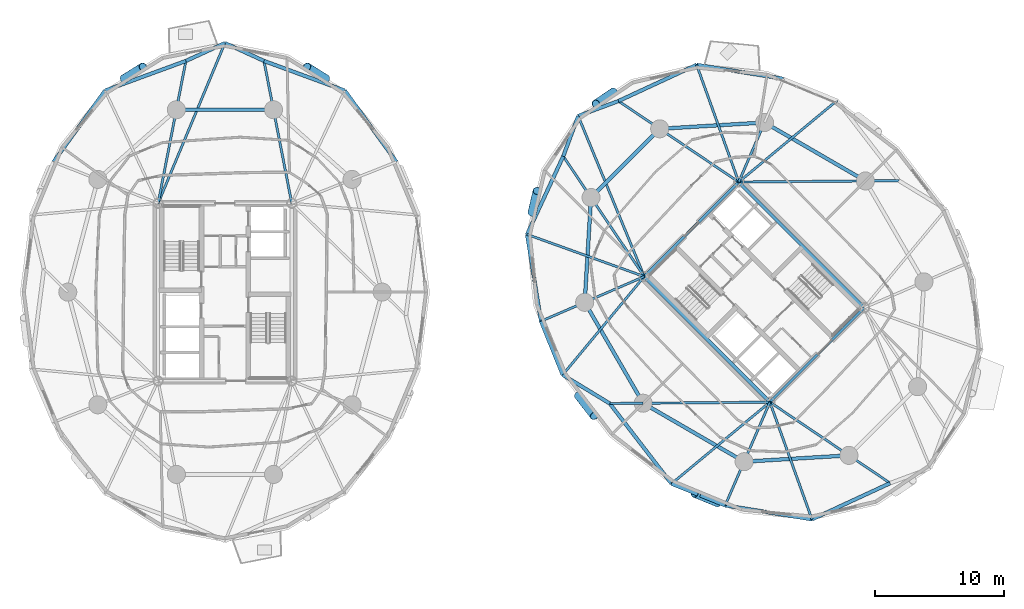
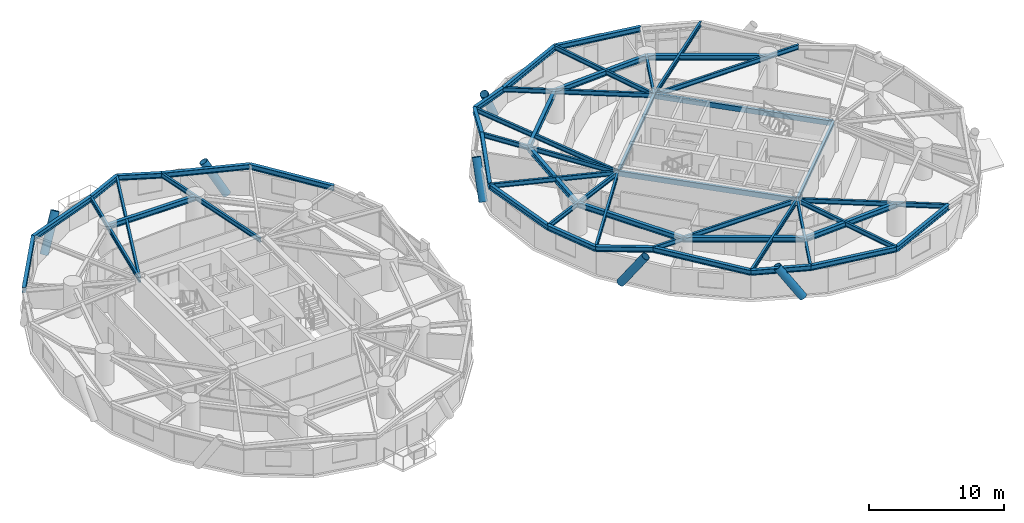
# One storey, part 5 of 18: 49 beams, 6 members.
"""IFC4 building model written with IfcOpenShell, lengths in metres."""

from ifc_helpers import new_model, si_unit, direction, frame, origin, origin_2d, place, context, subcontext, project, spatial, hollow_rectangle, hollow_circle, i_section, extrude, material, material_profile, profile_set, type_object, element, save


model = new_model("IFC4")

# Units and contexts
model_context = context("Model", 3, precision=1e-05, world=origin(), true_north=direction((0.0, 1.0)))
body_context = subcontext(model_context, "Body", "Model", "MODEL_VIEW")
ifc_project = project(units=[si_unit("LENGTHUNIT", "METRE"), si_unit("AREAUNIT", "SQUARE_METRE"), si_unit("VOLUMEUNIT", "CUBIC_METRE"), si_unit("PLANEANGLEUNIT", "RADIAN"), si_unit("MASSUNIT", "GRAM", prefix="KILO")], contexts=[model_context])

# Site, building, storey
site_placement = place(None, origin())
site = spatial("IfcSite", under=ifc_project, at=site_placement, CompositionType="ELEMENT")
building_placement = place(site_placement, origin())
building = spatial("IfcBuilding", under=site, at=building_placement, Name="Cununo Teusaquillo Station Towers", CompositionType="ELEMENT")
storey_placement = place(building_placement, frame((0.0, 0.0, 87.610107421875)))
storey = spatial("IfcBuildingStorey", under=building, at=storey_placement, Name="L27", CompositionType="ELEMENT", Elevation=87.610107421875)

# Beams
ifc_material_1 = material(Name="Steel EN 10025-2 S355J2", Category="steel")
ifc_material_profile_1 = material_profile(ifc_material_1, hollow_rectangle(XDim=0.25, YDim=0.449951171875, WallThickness=0.01611328125, at=origin_2d()), Name="RHS 450x250x16")
ifc_profile_set_1 = profile_set([ifc_material_profile_1], Name="Steel EN 10025-2 S355J2")
beam_type_1 = type_object("IfcBeamType", Name="BM-COUP-1", PredefinedType="USERDEFINED", material=ifc_profile_set_1)
for number, where, z_axis, x_axis, name in (
    (1, (58.70556640625, 15.975830078125, 2.44482421875), (-0.707106781187, 0.707106781187, 0.0), (-0.707106781187, -0.707106781187, 0.0), "L27 Tower B Core Beam 1"),
    (2, (66.024169921875, 23.29443359375, 2.44482421875), (-0.707106781187, 0.707106781187, 0.0), (-0.707106781187, -0.707106781187, 0.0), "L27 Tower B Core Beam 2"),
):
    element("IfcBeam", number, at=place(storey_placement, frame(where, z_axis=z_axis, x_axis=x_axis)), inside=storey, type_object=beam_type_1, Name=name, ObjectType="COUPLING BEAM", PredefinedType="USERDEFINED", context=body_context, shape_type="SweptSolid", body=[
        extrude(hollow_rectangle(XDim=0.25, YDim=0.449951171875, WallThickness=0.01611328125, at=origin_2d()), origin(), (0.0, 0.0, 1.0), 13.760009765625),
    ])
ifc_material_2 = material(Name="Steel ASTM A572 Grade 50", Category="steel")
ifc_material_profile_2 = material_profile(ifc_material_2, i_section(OverallWidth=0.180908203125, OverallDepth=0.4169921875, WebThickness=0.010986328125, FlangeThickness=0.018310546875, FilletRadius=0.012939453125, at=origin_2d()), Name="W16X57")
ifc_profile_set_2 = profile_set([ifc_material_profile_2], Name="Steel ASTM A572 Grade 50")
beam_type_2 = type_object("IfcBeamType", Name="BM-JOIST-1", PredefinedType="JOIST", material=ifc_profile_set_2)
beam_1_placement = place(storey_placement, frame((11.324951171875, 31.3798828125, 2.46142578125), z_axis=(0.38487837995, 0.922967297713, 0.0), x_axis=(-0.922967297713, 0.38487837995, 0.0)))
element("IfcBeam", 3, at=beam_1_placement, inside=storey, type_object=beam_type_2, Name="L27 Tower A Radial Spandrel Joist V05", PredefinedType="JOIST", context=body_context, shape_type="SweptSolid", body=[
    extrude(i_section(OverallWidth=0.180908203125, OverallDepth=0.4169921875, WebThickness=0.010986328125, FlangeThickness=0.018310546875, FilletRadius=0.012939453125, at=origin_2d()), origin(), (0.0, 0.0, 1.0), 13.446044921875),
])
beam_2_placement = place(storey_placement, frame((56.29443359375, 33.024169921875, 2.46142578125), z_axis=(0.769727799615, 0.638372238196, 0.0), x_axis=(-0.638372238196, 0.769727799615, 0.0)))
element("IfcBeam", 4, at=beam_2_placement, inside=storey, type_object=beam_type_2, Name="L27 Tower B Radial Spandrel Joist V01", PredefinedType="JOIST", context=body_context, shape_type="SweptSolid", body=[
    extrude(i_section(OverallWidth=0.180908203125, OverallDepth=0.4169921875, WebThickness=0.010986328125, FlangeThickness=0.018310546875, FilletRadius=0.012939453125, at=origin_2d()), origin(), (0.0, 0.0, 1.0), 9.895263671875),
])
beam_3_placement = place(storey_placement, frame((56.29443359375, 33.024169921875, 2.46142578125), z_axis=(-0.338176312038, 0.941082771055, 0.0), x_axis=(-0.941082771055, -0.338176312038, 0.0)))
element("IfcBeam", 5, at=beam_3_placement, inside=storey, type_object=beam_type_2, Name="L27 Tower B Radial Spandrel Joist V03", PredefinedType="JOIST", context=body_context, shape_type="SweptSolid", body=[
    extrude(i_section(OverallWidth=0.180908203125, OverallDepth=0.4169921875, WebThickness=0.010986328125, FlangeThickness=0.018310546875, FilletRadius=0.012939453125, at=origin_2d()), origin(), (0.0, 0.0, 1.0), 9.646484375),
])
beam_4_placement = place(storey_placement, frame((48.975830078125, 25.70556640625, 2.46142578125), z_axis=(-0.380485864505, 0.924786735908, 0.0), x_axis=(-0.924786735908, -0.380485864505, 0.0)))
element("IfcBeam", 6, at=beam_4_placement, inside=storey, type_object=beam_type_2, Name="L27 Tower B Radial Spandrel Joist V05", PredefinedType="JOIST", context=body_context, shape_type="SweptSolid", body=[
    extrude(i_section(OverallWidth=0.180908203125, OverallDepth=0.4169921875, WebThickness=0.010986328125, FlangeThickness=0.018310546875, FilletRadius=0.012939453125, at=origin_2d()), origin(), (0.0, 0.0, 1.0), 13.44580078125),
])
beam_5_placement = place(storey_placement, frame((48.975830078125, 25.70556640625, 2.46142578125), z_axis=(-0.941082771055, 0.338176312038, 0.0), x_axis=(-0.338176312038, -0.941082771055, 0.0)))
element("IfcBeam", 7, at=beam_5_placement, inside=storey, type_object=beam_type_2, Name="L27 Tower B Radial Spandrel Joist V07", PredefinedType="JOIST", context=body_context, shape_type="SweptSolid", body=[
    extrude(i_section(OverallWidth=0.180908203125, OverallDepth=0.4169921875, WebThickness=0.010986328125, FlangeThickness=0.018310546875, FilletRadius=0.012939453125, at=origin_2d()), origin(), (0.0, 0.0, 1.0), 9.646484375),
])
for number, where, z_axis, x_axis, name in (
    (8, (48.975830078125, 25.70556640625, 2.46142578125), (-0.638372238196, -0.769727799615, 0.0), (0.769727799615, -0.638372238196, 0.0), "L27 Tower B Radial Spandrel Joist V09"),
    (9, (58.70556640625, 15.975830078125, 2.46142578125), (-0.769727799615, -0.638372238196, 0.0), (0.638372238196, -0.769727799615, 0.0), "L27 Tower B Radial Spandrel Joist V11"),
):
    element("IfcBeam", number, at=place(storey_placement, frame(where, z_axis=z_axis, x_axis=x_axis)), inside=storey, type_object=beam_type_2, Name=name, PredefinedType="JOIST", context=body_context, shape_type="SweptSolid", body=[
        extrude(i_section(OverallWidth=0.180908203125, OverallDepth=0.4169921875, WebThickness=0.010986328125, FlangeThickness=0.018310546875, FilletRadius=0.012939453125, at=origin_2d()), origin(), (0.0, 0.0, 1.0), 9.895263671875),
    ])
beam_6_placement = place(storey_placement, frame((58.70556640625, 15.975830078125, 2.46142578125), z_axis=(0.338176312038, -0.941082771055, 0.0), x_axis=(0.941082771055, 0.338176312038, 0.0)))
element("IfcBeam", 10, at=beam_6_placement, inside=storey, type_object=beam_type_2, Name="L27 Tower B Radial Spandrel Joist V13", PredefinedType="JOIST", context=body_context, shape_type="SweptSolid", body=[
    extrude(i_section(OverallWidth=0.180908203125, OverallDepth=0.4169921875, WebThickness=0.010986328125, FlangeThickness=0.018310546875, FilletRadius=0.012939453125, at=origin_2d()), origin(), (0.0, 0.0, 1.0), 9.646484375),
])
ifc_material_3 = material(Name="Steel ASTM A572 Grade 50", Category="steel")
ifc_material_profile_3 = material_profile(ifc_material_3, i_section(OverallWidth=0.2041015625, OverallDepth=0.35009765625, WebThickness=0.008544921875, FlangeThickness=0.01513671875, FilletRadius=0.011962890625, at=origin_2d()), Name="W14X48")
ifc_profile_set_3 = profile_set([ifc_material_profile_3], Name="Steel ASTM A572 Grade 50")
beam_type_3 = type_object("IfcBeamType", Name="BM-LINTEL-1", PredefinedType="LINTEL", material=ifc_profile_set_3)
for number, where, z_axis, x_axis, name in (
    (11, (58.70556640625, 15.975830078125, 2.494873046875), (0.707106781187, 0.707106781187, 0.0), (-0.707106781187, 0.707106781187, 0.0), "L27 Tower B Core Beam 3"),
    (12, (48.975830078125, 25.70556640625, 2.494873046875), (0.707106781187, 0.707106781187, 0.0), (-0.707106781187, 0.707106781187, 0.0), "L27 Tower B Core Beam 4"),
):
    element("IfcBeam", number, at=place(storey_placement, frame(where, z_axis=z_axis, x_axis=x_axis)), inside=storey, type_object=beam_type_3, Name=name, PredefinedType="LINTEL", context=body_context, shape_type="SweptSolid", body=[
        extrude(i_section(OverallWidth=0.2041015625, OverallDepth=0.35009765625, WebThickness=0.008544921875, FlangeThickness=0.01513671875, FilletRadius=0.011962890625, at=origin_2d()), origin(), (0.0, 0.0, 1.0), 10.35009765625),
    ])
ifc_material_4 = material(Name="Steel ASTM A572 Grade 50", Category="steel")
ifc_material_profile_4 = material_profile(ifc_material_4, i_section(OverallWidth=0.180908203125, OverallDepth=0.4169921875, WebThickness=0.010986328125, FlangeThickness=0.018310546875, FilletRadius=0.012939453125, at=origin_2d()), Name="W16X57")
ifc_profile_set_4 = profile_set([ifc_material_profile_4], Name="Steel ASTM A572 Grade 50")
beam_type_4 = type_object("IfcBeamType", Name="BM-RAD-G2", PredefinedType="BEAM", material=ifc_profile_set_4)
for number, where, z_axis, x_axis, name in (
    (13, (21.675048828125, 31.3798828125, 2.46142578125), (-0.191552755713, 0.981482318628, 0.0), (-0.981482318628, -0.191552755713, 0.0), "L27 Tower A Continuous Overhanging Radial Girder 03"),
    (14, (11.324951171875, 31.3798828125, 2.46142578125), (0.191552755713, 0.981482318628, 0.0), (-0.981482318628, 0.191552755713, 0.0), "L27 Tower A Continuous Overhanging Radial Girder 04"),
):
    element("IfcBeam", number, at=place(storey_placement, frame(where, z_axis=z_axis, x_axis=x_axis)), inside=storey, type_object=beam_type_4, Name=name, PredefinedType="BEAM", context=body_context, shape_type="SweptSolid", body=[
        extrude(i_section(OverallWidth=0.180908203125, OverallDepth=0.4169921875, WebThickness=0.010986328125, FlangeThickness=0.018310546875, FilletRadius=0.012939453125, at=origin_2d()), origin(), (0.0, 0.0, 1.0), 11.22998046875),
    ])
beam_7_placement = place(storey_placement, frame((56.29443359375, 33.024169921875, 2.46142578125), z_axis=(0.999964331255, 0.008446077024, 0.0), x_axis=(-0.008446077024, 0.999964331255, 0.0)))
element("IfcBeam", 15, at=beam_7_placement, inside=storey, type_object=beam_type_4, Name="L27 Tower B Continuous Overhanging Radial Girder 01", PredefinedType="BEAM", context=body_context, shape_type="SweptSolid", body=[
    extrude(i_section(OverallWidth=0.180908203125, OverallDepth=0.4169921875, WebThickness=0.010986328125, FlangeThickness=0.018310546875, FilletRadius=0.012939453125, at=origin_2d()), origin(), (0.0, 0.0, 1.0), 12.400634765625),
])
beam_8_placement = place(storey_placement, frame((56.29443359375, 33.024169921875, 2.46142578125), z_axis=(0.397346986387, 0.917668443616, 0.0), x_axis=(-0.917668443616, 0.397346986387, 0.0)))
element("IfcBeam", 16, at=beam_8_placement, inside=storey, type_object=beam_type_4, Name="L27 Tower B Radial Girder 02A", PredefinedType="BEAM", context=body_context, shape_type="SweptSolid", body=[
    extrude(i_section(OverallWidth=0.180908203125, OverallDepth=0.4169921875, WebThickness=0.010986328125, FlangeThickness=0.018310546875, FilletRadius=0.012939453125, at=origin_2d()), origin(), (0.0, 0.0, 1.0), 5.02490234375),
])
for number, where, z_axis, x_axis, name in (
    (17, (56.29443359375, 33.024169921875, 2.46142578125), (-0.82945583878, 0.558572297481, 0.0), (-0.558572297481, -0.82945583878, 0.0), "L27 Tower B Continuous Overhanging Radial Girder 03"),
    (18, (48.975830078125, 25.70556640625, 2.46142578125), (-0.558572297481, 0.82945583878, 0.0), (-0.82945583878, -0.558572297481, 0.0), "L27 Tower B Continuous Overhanging Radial Girder 04"),
):
    element("IfcBeam", number, at=place(storey_placement, frame(where, z_axis=z_axis, x_axis=x_axis)), inside=storey, type_object=beam_type_4, Name=name, PredefinedType="BEAM", context=body_context, shape_type="SweptSolid", body=[
        extrude(i_section(OverallWidth=0.180908203125, OverallDepth=0.4169921875, WebThickness=0.010986328125, FlangeThickness=0.018310546875, FilletRadius=0.012939453125, at=origin_2d()), origin(), (0.0, 0.0, 1.0), 11.22998046875),
    ])
beam_9_placement = place(storey_placement, frame((48.975830078125, 25.70556640625, 2.46142578125), z_axis=(-0.917654733344, -0.397378648609, 0.0), x_axis=(0.397378648609, -0.917654733344, 0.0)))
element("IfcBeam", 19, at=beam_9_placement, inside=storey, type_object=beam_type_4, Name="L27 Tower B Continuous Overhanging Radial Girder 05", PredefinedType="BEAM", context=body_context, shape_type="SweptSolid", body=[
    extrude(i_section(OverallWidth=0.180908203125, OverallDepth=0.4169921875, WebThickness=0.010986328125, FlangeThickness=0.018310546875, FilletRadius=0.012939453125, at=origin_2d()), origin(), (0.0, 0.0, 1.0), 8.71484375),
])
beam_10_placement = place(storey_placement, frame((58.70556640625, 15.975830078125, 2.46142578125), z_axis=(-0.999964431382, -0.008434214327, 0.0), x_axis=(0.008434214327, -0.999964431382, 0.0)))
element("IfcBeam", 20, at=beam_10_placement, inside=storey, type_object=beam_type_4, Name="L27 Tower B Radial Girder 06A", PredefinedType="BEAM", context=body_context, shape_type="SweptSolid", body=[
    extrude(i_section(OverallWidth=0.180908203125, OverallDepth=0.4169921875, WebThickness=0.010986328125, FlangeThickness=0.018310546875, FilletRadius=0.012939453125, at=origin_2d()), origin(), (0.0, 0.0, 1.0), 9.812744140625),
])
beam_11_placement = place(storey_placement, frame((48.89306640625, 15.89306640625, 2.46142578125), z_axis=(-0.999963950292, -0.008491060999, 0.0), x_axis=(0.008491060999, -0.999963950292, 0.0)))
element("IfcBeam", 21, at=beam_11_placement, inside=storey, type_object=beam_type_4, Name="L27 Tower B Perimeter Overhang Girder 06B", PredefinedType="BEAM", context=body_context, shape_type="SweptSolid", body=[
    extrude(i_section(OverallWidth=0.180908203125, OverallDepth=0.4169921875, WebThickness=0.010986328125, FlangeThickness=0.018310546875, FilletRadius=0.012939453125, at=origin_2d()), origin(), (0.0, 0.0, 1.0), 2.587646484375),
])
beam_12_placement = place(storey_placement, frame((58.70556640625, 15.975830078125, 2.46142578125), z_axis=(-0.397378648609, -0.917654733344, 0.0), x_axis=(0.917654733344, -0.397378648609, 0.0)))
element("IfcBeam", 22, at=beam_12_placement, inside=storey, type_object=beam_type_4, Name="L27 Tower B Continuous Overhanging Radial Girder 07", PredefinedType="BEAM", context=body_context, shape_type="SweptSolid", body=[
    extrude(i_section(OverallWidth=0.180908203125, OverallDepth=0.4169921875, WebThickness=0.010986328125, FlangeThickness=0.018310546875, FilletRadius=0.012939453125, at=origin_2d()), origin(), (0.0, 0.0, 1.0), 8.71484375),
])
beam_13_placement = place(storey_placement, frame((58.70556640625, 15.975830078125, 2.46142578125), z_axis=(0.82945583878, -0.558572297481, 0.0), x_axis=(0.558572297481, 0.82945583878, 0.0)))
element("IfcBeam", 23, at=beam_13_placement, inside=storey, type_object=beam_type_4, Name="L27 Tower B Continuous Overhanging Radial Girder 08", PredefinedType="BEAM", context=body_context, shape_type="SweptSolid", body=[
    extrude(i_section(OverallWidth=0.180908203125, OverallDepth=0.4169921875, WebThickness=0.010986328125, FlangeThickness=0.018310546875, FilletRadius=0.012939453125, at=origin_2d()), origin(), (0.0, 0.0, 1.0), 11.22998046875),
])
ifc_material_5 = material(Name="Steel ASTM A572 Grade 50", Category="steel")
ifc_material_profile_5 = material_profile(ifc_material_5, i_section(OverallWidth=0.280029296875, OverallDepth=0.462890625, WebThickness=0.0107421875, FlangeThickness=0.017333984375, FilletRadius=0.013916015625, at=origin_2d()), Name="W18X76")
ifc_profile_set_5 = profile_set([ifc_material_profile_5], Name="Steel ASTM A572 Grade 50")
beam_type_5 = type_object("IfcBeamType", Name="BM-RING-Z2", PredefinedType="SPANDREL", material=ifc_profile_set_5)
beam_14_placement = place(storey_placement, frame((20.261474609375, 38.623291015625, 2.4384765625), z_axis=(-1.0, 0.0, 0.0), x_axis=(0.0, -1.0, 0.0)))
element("IfcBeam", 24, at=beam_14_placement, inside=storey, type_object=beam_type_5, Name="L27 Tower A Structural Column Ring Girder 03", PredefinedType="SPANDREL", context=body_context, shape_type="SweptSolid", body=[
    extrude(i_section(OverallWidth=0.280029296875, OverallDepth=0.462890625, WebThickness=0.0107421875, FlangeThickness=0.017333984375, FilletRadius=0.013916015625, at=origin_2d()), origin(), (0.0, 0.0, 1.0), 7.52294921875),
])
beam_15_placement = place(storey_placement, frame((29.77880859375, 34.586181640625, 2.4384765625), z_axis=(-0.58594455724, 0.810351143543, 0.0), x_axis=(-0.810351143543, -0.58594455724, 0.0)))
element("IfcBeam", 25, at=beam_15_placement, inside=storey, type_object=beam_type_5, Name="L27 Tower A Spandrel Ring Beam 03", PredefinedType="SPANDREL", context=body_context, shape_type="SweptSolid", body=[
    extrude(i_section(OverallWidth=0.280029296875, OverallDepth=0.462890625, WebThickness=0.0107421875, FlangeThickness=0.017333984375, FilletRadius=0.013916015625, at=origin_2d()), origin(), (0.0, 0.0, 1.0), 6.8115234375),
])
beam_16_placement = place(storey_placement, frame((25.78759765625, 40.10595703125, 2.4384765625), z_axis=(-0.938914161016, 0.34415141761, 0.0), x_axis=(-0.34415141761, -0.938914161016, 0.0)))
element("IfcBeam", 26, at=beam_16_placement, inside=storey, type_object=beam_type_5, Name="L27 Tower A Spandrel Ring Beam 04", PredefinedType="SPANDREL", context=body_context, shape_type="SweptSolid", body=[
    extrude(i_section(OverallWidth=0.280029296875, OverallDepth=0.462890625, WebThickness=0.0107421875, FlangeThickness=0.017333984375, FilletRadius=0.013916015625, at=origin_2d()), origin(), (0.0, 0.0, 1.0), 6.671142578125),
])
for number, where, z_axis, x_axis, name in (
    (27, (19.52392578125, 42.40185546875, 2.4384765625), (-0.908812215281, 0.417205413862, 0.0), (-0.417205413862, -0.908812215281, 0.0), "L27 Tower A Spandrel Ring Beam 05"),
    (28, (16.5, 43.7900390625, 2.4384765625), (-0.908812215281, -0.417205413862, 0.0), (0.417205413862, -0.908812215281, 0.0), "L27 Tower A Spandrel Ring Beam 06"),
):
    element("IfcBeam", number, at=place(storey_placement, frame(where, z_axis=z_axis, x_axis=x_axis)), inside=storey, type_object=beam_type_5, Name=name, PredefinedType="SPANDREL", context=body_context, shape_type="SweptSolid", body=[
        extrude(i_section(OverallWidth=0.280029296875, OverallDepth=0.462890625, WebThickness=0.0107421875, FlangeThickness=0.017333984375, FilletRadius=0.013916015625, at=origin_2d()), origin(), (0.0, 0.0, 1.0), 3.327392578125),
    ])
beam_17_placement = place(storey_placement, frame((13.47607421875, 42.40185546875, 2.4384765625), z_axis=(-0.938914161016, -0.34415141761, 0.0), x_axis=(0.34415141761, -0.938914161016, 0.0)))
element("IfcBeam", 29, at=beam_17_placement, inside=storey, type_object=beam_type_5, Name="L27 Tower A Spandrel Ring Beam 07", PredefinedType="SPANDREL", context=body_context, shape_type="SweptSolid", body=[
    extrude(i_section(OverallWidth=0.280029296875, OverallDepth=0.462890625, WebThickness=0.0107421875, FlangeThickness=0.017333984375, FilletRadius=0.013916015625, at=origin_2d()), origin(), (0.0, 0.0, 1.0), 6.671142578125),
])
beam_18_placement = place(storey_placement, frame((7.21240234375, 40.10595703125, 2.4384765625), z_axis=(-0.58594455724, -0.810351143543, 0.0), x_axis=(0.810351143543, -0.58594455724, 0.0)))
element("IfcBeam", 30, at=beam_18_placement, inside=storey, type_object=beam_type_5, Name="L27 Tower A Spandrel Ring Beam 08", PredefinedType="SPANDREL", context=body_context, shape_type="SweptSolid", body=[
    extrude(i_section(OverallWidth=0.280029296875, OverallDepth=0.462890625, WebThickness=0.0107421875, FlangeThickness=0.017333984375, FilletRadius=0.013916015625, at=origin_2d()), origin(), (0.0, 0.0, 1.0), 6.8115234375),
])
beam_19_placement = place(storey_placement, frame((66.10693359375, 33.10693359375, 2.4384765625), z_axis=(-0.865267103202, 0.501311121078, 0.0), x_axis=(-0.501311121078, -0.865267103202, 0.0)))
element("IfcBeam", 31, at=beam_19_placement, inside=storey, type_object=beam_type_5, Name="L27 Tower B Structural Column Ring Girder 01", PredefinedType="SPANDREL", context=body_context, shape_type="SweptSolid", body=[
    extrude(i_section(OverallWidth=0.280029296875, OverallDepth=0.462890625, WebThickness=0.0107421875, FlangeThickness=0.017333984375, FilletRadius=0.013916015625, at=origin_2d()), origin(), (0.0, 0.0, 1.0), 9.032958984375),
])
beam_20_placement = place(storey_placement, frame((58.291015625, 37.63525390625, 2.4384765625), z_axis=(-0.998190567048, -0.06012979176, 0.0), x_axis=(0.06012979176, -0.998190567048, 0.0)))
element("IfcBeam", 32, at=beam_20_placement, inside=storey, type_object=beam_type_5, Name="L27 Tower B Structural Column Ring Girder 02", PredefinedType="SPANDREL", context=body_context, shape_type="SweptSolid", body=[
    extrude(i_section(OverallWidth=0.280029296875, OverallDepth=0.462890625, WebThickness=0.0107421875, FlangeThickness=0.017333984375, FilletRadius=0.013916015625, at=origin_2d()), origin(), (0.0, 0.0, 1.0), 8.132568359375),
])
beam_21_placement = place(storey_placement, frame((50.173095703125, 37.146240234375, 2.4384765625), z_axis=(-0.707106781187, -0.707106781187, 0.0), x_axis=(0.707106781187, -0.707106781187, 0.0)))
element("IfcBeam", 33, at=beam_21_placement, inside=storey, type_object=beam_type_5, Name="L27 Tower B Structural Column Ring Girder 03", PredefinedType="SPANDREL", context=body_context, shape_type="SweptSolid", body=[
    extrude(i_section(OverallWidth=0.280029296875, OverallDepth=0.462890625, WebThickness=0.0107421875, FlangeThickness=0.017333984375, FilletRadius=0.013916015625, at=origin_2d()), origin(), (0.0, 0.0, 1.0), 7.522705078125),
])
beam_22_placement = place(storey_placement, frame((44.853759765625, 31.826904296875, 2.4384765625), z_axis=(-0.06012979176, -0.998190567048, 0.0), x_axis=(0.998190567048, -0.06012979176, 0.0)))
element("IfcBeam", 34, at=beam_22_placement, inside=storey, type_object=beam_type_5, Name="L27 Tower B Structural Column Ring Girder 04", PredefinedType="SPANDREL", context=body_context, shape_type="SweptSolid", body=[
    extrude(i_section(OverallWidth=0.280029296875, OverallDepth=0.462890625, WebThickness=0.0107421875, FlangeThickness=0.017333984375, FilletRadius=0.013916015625, at=origin_2d()), origin(), (0.0, 0.0, 1.0), 8.132568359375),
])
for number, where, z_axis, x_axis, name in (
    (35, (44.36474609375, 23.708984375, 2.4384765625), (0.501311121078, -0.865267103202, 0.0), (0.865267103202, 0.501311121078, 0.0), "L27 Tower B Structural Column Ring Girder 05"),
    (36, (48.89306640625, 15.89306640625, 2.4384765625), (0.865267103202, -0.501311121078, 0.0), (0.501311121078, 0.865267103202, 0.0), "L27 Tower B Structural Column Ring Girder 06"),
):
    element("IfcBeam", number, at=place(storey_placement, frame(where, z_axis=z_axis, x_axis=x_axis)), inside=storey, type_object=beam_type_5, Name=name, PredefinedType="SPANDREL", context=body_context, shape_type="SweptSolid", body=[
        extrude(i_section(OverallWidth=0.280029296875, OverallDepth=0.462890625, WebThickness=0.0107421875, FlangeThickness=0.017333984375, FilletRadius=0.013916015625, at=origin_2d()), origin(), (0.0, 0.0, 1.0), 9.032958984375),
    ])
beam_23_placement = place(storey_placement, frame((56.708984375, 11.36474609375, 2.4384765625), z_axis=(0.998190567048, 0.06012979176, 0.0), x_axis=(-0.06012979176, 0.998190567048, 0.0)))
element("IfcBeam", 37, at=beam_23_placement, inside=storey, type_object=beam_type_5, Name="L27 Tower B Structural Column Ring Girder 07", PredefinedType="SPANDREL", context=body_context, shape_type="SweptSolid", body=[
    extrude(i_section(OverallWidth=0.280029296875, OverallDepth=0.462890625, WebThickness=0.0107421875, FlangeThickness=0.017333984375, FilletRadius=0.013916015625, at=origin_2d()), origin(), (0.0, 0.0, 1.0), 8.132568359375),
])
beam_24_placement = place(storey_placement, frame((59.757568359375, 41.021484375, 2.4384765625), z_axis=(-0.987331474246, 0.158671232312, 0.0), x_axis=(-0.158671232312, -0.987331474246, 0.0)))
element("IfcBeam", 38, at=beam_24_placement, inside=storey, type_object=beam_type_5, Name="L27 Tower B Spandrel Ring Beam 03", PredefinedType="SPANDREL", context=body_context, shape_type="SweptSolid", body=[
    extrude(i_section(OverallWidth=0.280029296875, OverallDepth=0.462890625, WebThickness=0.0107421875, FlangeThickness=0.017333984375, FilletRadius=0.013916015625, at=origin_2d()), origin(), (0.0, 0.0, 1.0), 6.8115234375),
])
beam_25_placement = place(storey_placement, frame((53.0322265625, 42.102294921875, 2.4384765625), z_axis=(-0.907275870354, -0.420535961689, 0.0), x_axis=(0.420535961689, -0.907275870354, 0.0)))
element("IfcBeam", 39, at=beam_25_placement, inside=storey, type_object=beam_type_5, Name="L27 Tower B Spandrel Ring Beam 04", PredefinedType="SPANDREL", context=body_context, shape_type="SweptSolid", body=[
    extrude(i_section(OverallWidth=0.280029296875, OverallDepth=0.462890625, WebThickness=0.0107421875, FlangeThickness=0.017333984375, FilletRadius=0.013916015625, at=origin_2d()), origin(), (0.0, 0.0, 1.0), 6.671142578125),
])
for number, where, z_axis, x_axis, name in (
    (40, (46.979736328125, 39.296875, 2.4384765625), (-0.937628334414, -0.347639333943, 0.0), (0.347639333943, -0.937628334414, 0.0), "L27 Tower B Spandrel Ring Beam 05"),
    (41, (43.85986328125, 38.14013671875, 2.4384765625), (-0.347639333943, -0.937628334414, 0.0), (0.937628334414, -0.347639333943, 0.0), "L27 Tower B Spandrel Ring Beam 06"),
):
    element("IfcBeam", number, at=place(storey_placement, frame(where, z_axis=z_axis, x_axis=x_axis)), inside=storey, type_object=beam_type_5, Name=name, PredefinedType="SPANDREL", context=body_context, shape_type="SweptSolid", body=[
        extrude(i_section(OverallWidth=0.280029296875, OverallDepth=0.462890625, WebThickness=0.0107421875, FlangeThickness=0.017333984375, FilletRadius=0.013916015625, at=origin_2d()), origin(), (0.0, 0.0, 1.0), 3.327392578125),
    ])
beam_26_placement = place(storey_placement, frame((42.703125, 35.020263671875, 2.4384765625), z_axis=(-0.420535961689, -0.907275870354, 0.0), x_axis=(0.907275870354, -0.420535961689, 0.0)))
element("IfcBeam", 42, at=beam_26_placement, inside=storey, type_object=beam_type_5, Name="L27 Tower B Spandrel Ring Beam 07", PredefinedType="SPANDREL", context=body_context, shape_type="SweptSolid", body=[
    extrude(i_section(OverallWidth=0.280029296875, OverallDepth=0.462890625, WebThickness=0.0107421875, FlangeThickness=0.017333984375, FilletRadius=0.013916015625, at=origin_2d()), origin(), (0.0, 0.0, 1.0), 6.671142578125),
])
beam_27_placement = place(storey_placement, frame((39.897705078125, 28.9677734375, 2.4384765625), z_axis=(0.158671232312, -0.987331474246, 0.0), x_axis=(0.987331474246, 0.158671232312, 0.0)))
element("IfcBeam", 43, at=beam_27_placement, inside=storey, type_object=beam_type_5, Name="L27 Tower B Spandrel Ring Beam 08", PredefinedType="SPANDREL", context=body_context, shape_type="SweptSolid", body=[
    extrude(i_section(OverallWidth=0.280029296875, OverallDepth=0.462890625, WebThickness=0.0107421875, FlangeThickness=0.017333984375, FilletRadius=0.013916015625, at=origin_2d()), origin(), (0.0, 0.0, 1.0), 6.8115234375),
])
beam_28_placement = place(storey_placement, frame((40.978515625, 22.242431640625, 2.4384765625), z_axis=(0.375042266631, -0.927007712072, 0.0), x_axis=(0.927007712072, 0.375042266631, 0.0)))
element("IfcBeam", 44, at=beam_28_placement, inside=storey, type_object=beam_type_5, Name="L27 Tower B Spandrel Ring Beam 09", PredefinedType="SPANDREL", context=body_context, shape_type="SweptSolid", body=[
    extrude(i_section(OverallWidth=0.280029296875, OverallDepth=0.462890625, WebThickness=0.0107421875, FlangeThickness=0.017333984375, FilletRadius=0.013916015625, at=origin_2d()), origin(), (0.0, 0.0, 1.0), 4.480712890625),
])
beam_29_placement = place(storey_placement, frame((42.658935546875, 18.0888671875, 2.4384765625), z_axis=(0.854388492444, -0.519634779416, 0.0), x_axis=(0.519634779416, 0.854388492444, 0.0)))
element("IfcBeam", 45, at=beam_29_placement, inside=storey, type_object=beam_type_5, Name="L27 Tower B Spandrel Ring Beam 10", PredefinedType="SPANDREL", context=body_context, shape_type="SweptSolid", body=[
    extrude(i_section(OverallWidth=0.280029296875, OverallDepth=0.462890625, WebThickness=0.0107421875, FlangeThickness=0.017333984375, FilletRadius=0.013916015625, at=origin_2d()), origin(), (0.0, 0.0, 1.0), 4.26806640625),
])
beam_30_placement = place(storey_placement, frame((46.305419921875, 15.87109375, 2.4384765625), z_axis=(0.610100441726, -0.792324082056, 0.0), x_axis=(0.792324082056, 0.610100441726, 0.0)))
element("IfcBeam", 46, at=beam_30_placement, inside=storey, type_object=beam_type_5, Name="L27 Tower B Spandrel Ring Beam 11", PredefinedType="SPANDREL", context=body_context, shape_type="SweptSolid", body=[
    extrude(i_section(OverallWidth=0.280029296875, OverallDepth=0.462890625, WebThickness=0.0107421875, FlangeThickness=0.017333984375, FilletRadius=0.013916015625, at=origin_2d()), origin(), (0.0, 0.0, 1.0), 7.84033203125),
])
beam_31_placement = place(storey_placement, frame((51.0888671875, 9.658935546875, 2.4384765625), z_axis=(0.927007712072, -0.375042266631, 0.0), x_axis=(0.375042266631, 0.927007712072, 0.0)))
element("IfcBeam", 47, at=beam_31_placement, inside=storey, type_object=beam_type_5, Name="L27 Tower B Spandrel Ring Beam 12", PredefinedType="SPANDREL", context=body_context, shape_type="SweptSolid", body=[
    extrude(i_section(OverallWidth=0.280029296875, OverallDepth=0.462890625, WebThickness=0.0107421875, FlangeThickness=0.017333984375, FilletRadius=0.013916015625, at=origin_2d()), origin(), (0.0, 0.0, 1.0), 4.480712890625),
])
beam_32_placement = place(storey_placement, frame((55.242431640625, 7.978515625, 2.4384765625), z_axis=(0.987331474246, -0.158671232312, 0.0), x_axis=(0.158671232312, 0.987331474246, 0.0)))
element("IfcBeam", 48, at=beam_32_placement, inside=storey, type_object=beam_type_5, Name="L27 Tower B Spandrel Ring Beam 13", PredefinedType="SPANDREL", context=body_context, shape_type="SweptSolid", body=[
    extrude(i_section(OverallWidth=0.280029296875, OverallDepth=0.462890625, WebThickness=0.0107421875, FlangeThickness=0.017333984375, FilletRadius=0.013916015625, at=origin_2d()), origin(), (0.0, 0.0, 1.0), 6.8115234375),
])
beam_33_placement = place(storey_placement, frame((61.9677734375, 6.897705078125, 2.4384765625), z_axis=(0.907275870354, 0.420535961689, 0.0), x_axis=(-0.420535961689, 0.907275870354, 0.0)))
element("IfcBeam", 49, at=beam_33_placement, inside=storey, type_object=beam_type_5, Name="L27 Tower B Spandrel Ring Beam 14", PredefinedType="SPANDREL", context=body_context, shape_type="SweptSolid", body=[
    extrude(i_section(OverallWidth=0.280029296875, OverallDepth=0.462890625, WebThickness=0.0107421875, FlangeThickness=0.017333984375, FilletRadius=0.013916015625, at=origin_2d()), origin(), (0.0, 0.0, 1.0), 6.671142578125),
])

# Members
ifc_material_6 = material(Name="Steel EN 10025-2 S355J2", Category="steel")
ifc_material_profile_6 = material_profile(ifc_material_6, hollow_circle(Radius=0.330078125, WallThickness=0.02490234375, at=origin_2d()), Name="CHS 660x25")
ifc_profile_set_6 = profile_set([ifc_material_profile_6], Name="Steel EN 10025-2 S355J2")
member_type = type_object("IfcMemberType", Name="MBR-DIAG-Z2", PredefinedType="BRACE", material=ifc_profile_set_6)
for number, where, z_axis, x_axis, name in (
    (50, (24.3193359375, 41.019287109375, -0.14013671875), (-0.433768032271, 0.269824776975, 0.859674289432), (-0.528195574716, -0.849122744278, 0.0), "L27 Tower A Folded-Zigzag Diagrid Tube C03"),
    (51, (8.6806640625, 41.019287109375, -0.14013671875), (0.433768032271, 0.269824776975, 0.859674289432), (-0.528195574716, 0.849122744278, 0.0), "L27 Tower A Folded-Zigzag Diagrid Tube C06"),
):
    element("IfcMember", number, at=place(storey_placement, frame(where, z_axis=z_axis, x_axis=x_axis)), inside=storey, type_object=member_type, Name=name, PredefinedType="BRACE", context=body_context, shape_type="SweptSolid", body=[
        extrude(hollow_circle(Radius=0.330078125, WallThickness=0.02490234375, at=origin_2d()), origin(), (0.0, 0.0, 1.0), 3.385009765625),
    ])
member_1_placement = place(storey_placement, frame((46.606689453125, 39.996826171875, -0.14013671875), z_axis=(-0.410072581881, -0.277172614456, 0.868916462835), x_axis=(0.559991322854, -0.828498472134, 0.0)))
element("IfcMember", 52, at=member_1_placement, inside=storey, type_object=member_type, Name="L27 Tower B Folded-Zigzag Diagrid Tube C04", PredefinedType="BRACE", context=body_context, shape_type="SweptSolid", body=[
    extrude(hollow_circle(Radius=0.330078125, WallThickness=0.02490234375, at=origin_2d()), origin(), (0.0, 0.0, 1.0), 3.348876953125),
])
member_2_placement = place(storey_placement, frame((40.2900390625, 30.651611328125, -0.14013671875), z_axis=(0.115906612964, 0.49752571016, 0.859670765352), x_axis=(-0.973920299704, 0.226890391653, 0.0)))
element("IfcMember", 53, at=member_2_placement, inside=storey, type_object=member_type, Name="L27 Tower B Folded-Zigzag Diagrid Tube C06", PredefinedType="BRACE", context=body_context, shape_type="SweptSolid", body=[
    extrude(hollow_circle(Radius=0.330078125, WallThickness=0.02490234375, at=origin_2d()), origin(), (0.0, 0.0, 1.0), 3.385009765625),
])
member_3_placement = place(storey_placement, frame((43.881591796875, 16.501708984375, -0.14013671875), z_axis=(0.34606419194, -0.449302990414, 0.823630012726), x_axis=(0.792243348803, 0.610205273886, 0.0)))
element("IfcMember", 54, at=member_3_placement, inside=storey, type_object=member_type, Name="L27 Tower B Folded-Zigzag Diagrid Tube C09", PredefinedType="BRACE", context=body_context, shape_type="SweptSolid", body=[
    extrude(hollow_circle(Radius=0.330078125, WallThickness=0.02490234375, at=origin_2d()), origin(), (0.0, 0.0, 1.0), 3.532958984375),
])
member_4_placement = place(storey_placement, frame((54.681884765625, 8.181884765625, -0.14013671875), z_axis=(-0.51346268498, 0.211093316399, 0.83174255807), x_axis=(-0.380237656053, -0.924888817599, 0.0)))
element("IfcMember", 55, at=member_4_placement, inside=storey, type_object=member_type, Name="L27 Tower B Folded-Zigzag Diagrid Tube C11", PredefinedType="BRACE", context=body_context, shape_type="SweptSolid", body=[
    extrude(hollow_circle(Radius=0.330078125, WallThickness=0.02490234375, at=origin_2d()), origin(), (0.0, 0.0, 1.0), 3.49853515625),
])

save(model, "model.ifc")
